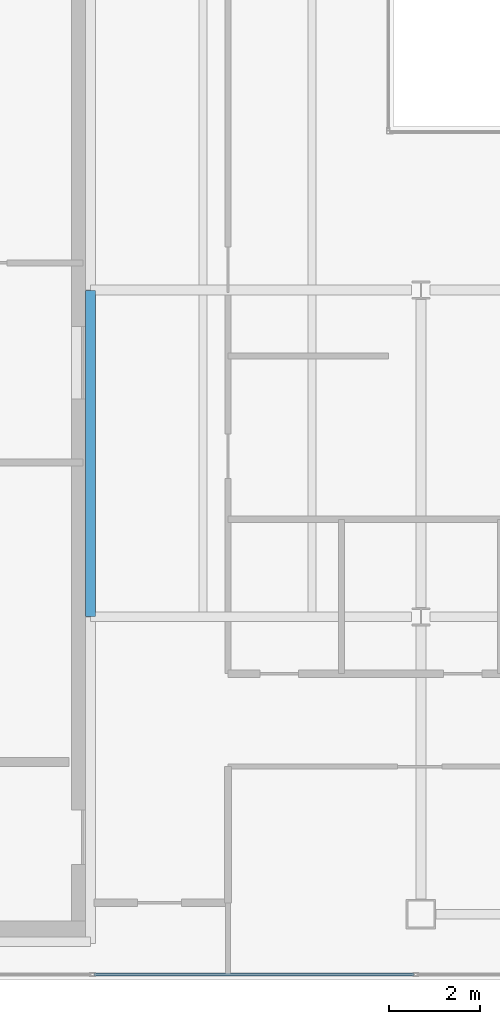
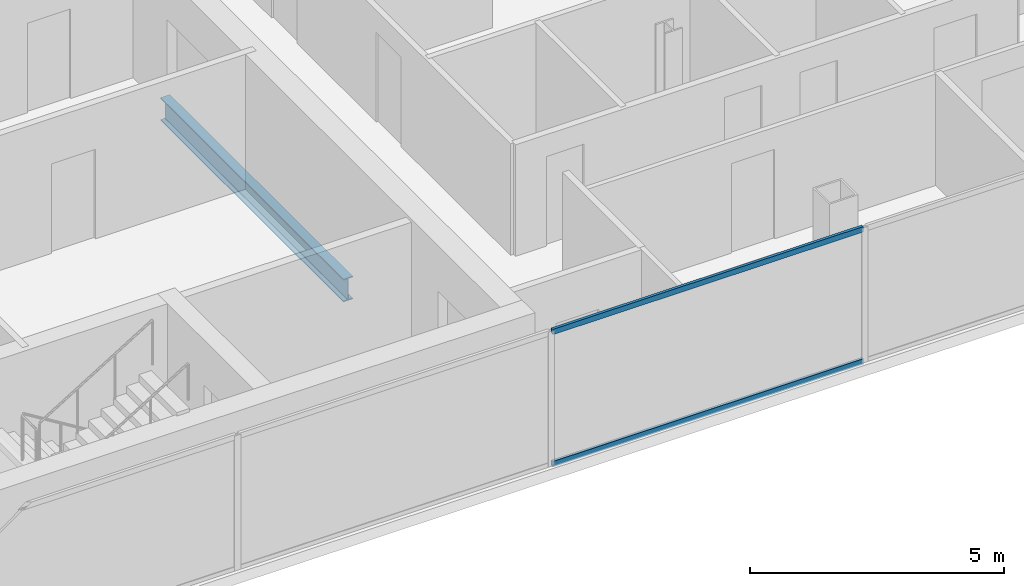
# One storey, part 4 of 23: 2 members, 1 beam, 1 element without a shape of its own.
"""IFC4 building model written with IfcOpenShell, lengths in metres."""

from ifc_helpers import new_model, si_unit, direction, frame, origin, origin_2d, place, context, subcontext, project, spatial, hollow_rectangle, i_section, extrude, material, material_profile, profile_set, type_object, element, aggregate, save


model = new_model("IFC4")

# Units and contexts
model_context = context("Model", 3, precision=1e-05, world=origin(), true_north=direction((0.0, 1.0)))
body_context = subcontext(model_context, "Body", "Model", "MODEL_VIEW")
ifc_project = project(units=[si_unit("LENGTHUNIT", "METRE"), si_unit("AREAUNIT", "SQUARE_METRE"), si_unit("VOLUMEUNIT", "CUBIC_METRE"), si_unit("PLANEANGLEUNIT", "RADIAN"), si_unit("MASSUNIT", "GRAM", prefix="KILO")], contexts=[model_context])

# Site, building, storey
site_placement = place(None, origin())
site = spatial("IfcSite", under=ifc_project, at=site_placement, CompositionType="ELEMENT")
building_placement = place(site_placement, origin())
building = spatial("IfcBuilding", under=site, at=building_placement, Name="Cobrela Telecom Tower", CompositionType="ELEMENT")
storey_placement = place(building_placement, frame((0.0, 0.0, 276.14990234375)))
storey = spatial("IfcBuildingStorey", under=building, at=storey_placement, Name="L72", CompositionType="ELEMENT", Elevation=276.14990234375)

# Beam
ifc_material_1 = material(Name="Steel ASTM A992 Grade 50", Category="steel")
ifc_material_profile_1 = material_profile(ifc_material_1, i_section(OverallWidth=0.212890625, OverallDepth=0.549072265625, WebThickness=0.0146484375, FlangeThickness=0.023681640625, FilletRadius=0.013916015625, at=origin_2d()), Name="W21X93")
ifc_profile_set_1 = profile_set([ifc_material_profile_1], Name="Steel ASTM A992 Grade 50")
beam_type = type_object("IfcBeamType", Name="BM-GIRD-08", PredefinedType="USERDEFINED", material=ifc_profile_set_1)
beam_placement = place(storey_placement, frame((14.320068359375, 14.405029296875, -0.534423828125), z_axis=(0.0, 1.0, 0.0), x_axis=(-1.0, 0.0, 0.0)))
element("IfcBeam", 1, at=beam_placement, inside=storey, type_object=beam_type, Name="L72 Primary Girder Y22", ObjectType="GIRDER", PredefinedType="USERDEFINED", context=body_context, shape_type="SweptSolid", body=[
    extrude(i_section(OverallWidth=0.212890625, OverallDepth=0.549072265625, WebThickness=0.0146484375, FlangeThickness=0.023681640625, FilletRadius=0.013916015625, at=origin_2d()), origin(), (0.0, 0.0, 1.0), 7.18994140625),
])

# Curtain wall, members
ifc_material_2 = material(Name="Anodized Bronze Aluminium 6063-T6", Category="aluminium")
curtain_wall_type = type_object("IfcCurtainWallType", Name="CW-SYS-OFF-HI", PredefinedType="USERDEFINED", material=ifc_material_2)
curtain_wall_placement = place(storey_placement, origin())
curtain_wall = element("IfcCurtainWall", 2, at=curtain_wall_placement, inside=storey, type_object=curtain_wall_type, Name="L72 Unitised Bronze Curtain Wall 15", ObjectType="UNITISED CURTAIN WALL", PredefinedType="USERDEFINED")
ifc_material_profile_2 = material_profile(ifc_material_2, hollow_rectangle(XDim=0.06494140625, YDim=0.1298828125, WallThickness=0.00390625, at=origin_2d()), Name="ALU 65x130x4")
ifc_profile_set_2 = profile_set([ifc_material_profile_2], Name="Anodized Bronze Aluminium 6063-T6")
member_type = type_object("IfcMemberType", Name="CW-SYS-OFF-HI-TRN", PredefinedType="USERDEFINED", material=ifc_profile_set_2)
member_1_placement = place(storey_placement, frame((21.449951171875, 6.52001953125, 0.03271484375), z_axis=(-1.0, 0.0, 0.0), x_axis=(0.0, -1.0, 0.0)))
member_1 = element("IfcMember", 3, at=member_1_placement, type_object=member_type, Name="CW-OFF-HI transom 4.1", ObjectType="TRANSOM", PredefinedType="USERDEFINED", context=body_context, shape_type="SweptSolid", body=[
    extrude(hollow_rectangle(XDim=0.06494140625, YDim=0.1298828125, WallThickness=0.00390625, at=origin_2d()), origin(), (0.0, 0.0, 1.0), 7.051513671875),
])
member_2_placement = place(storey_placement, frame((21.449951171875, 6.52001953125, 3.20751953125), z_axis=(-1.0, 0.0, 0.0), x_axis=(0.0, -1.0, 0.0)))
member_2 = element("IfcMember", 4, at=member_2_placement, type_object=member_type, Name="CW-OFF-HI transom 4.2", ObjectType="TRANSOM", PredefinedType="USERDEFINED", context=body_context, shape_type="SweptSolid", body=[
    extrude(hollow_rectangle(XDim=0.06494140625, YDim=0.1298828125, WallThickness=0.00390625, at=origin_2d()), origin(), (0.0, 0.0, 1.0), 7.051513671875),
])
aggregate(curtain_wall, [member_1, member_2])

save(model, "model.ifc")
